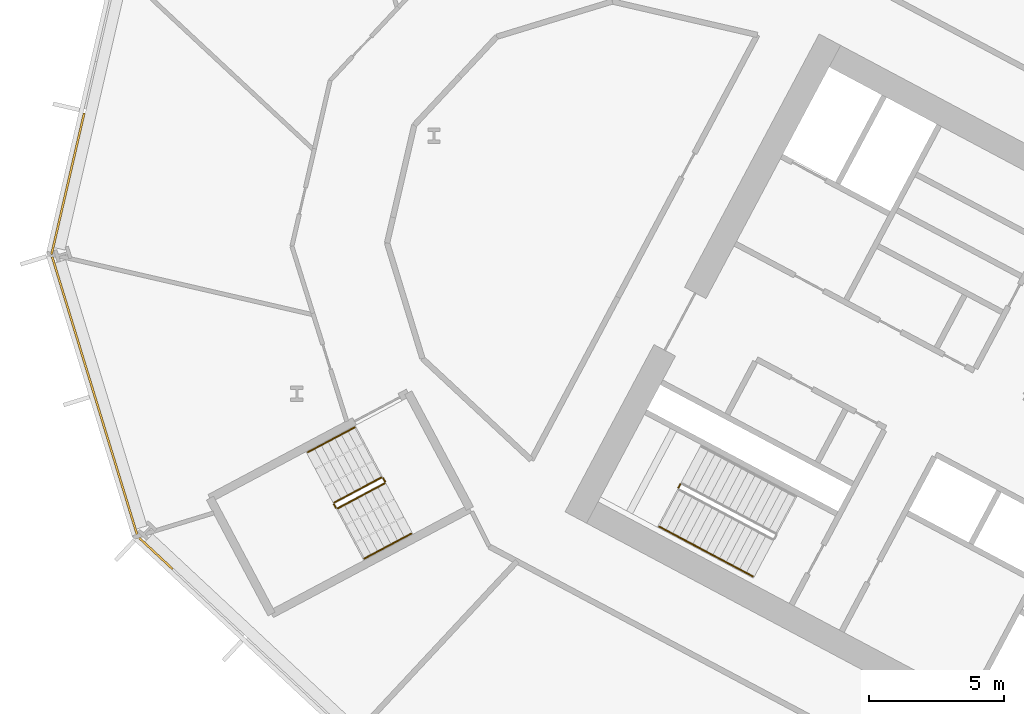
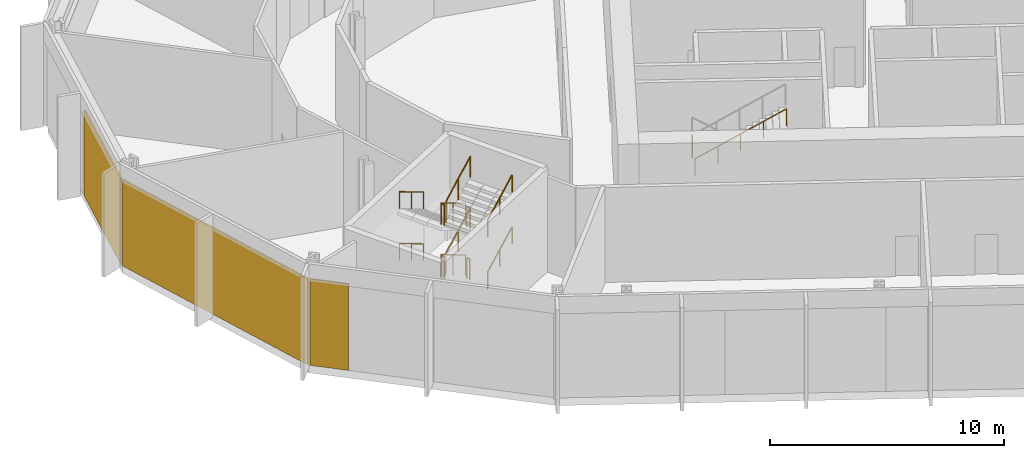
# One storey, part 21 of 31: 14 railings, 3 coverings, 3 elements without a shape of their own.
"""IFC4 building model written with IfcOpenShell, lengths in metres."""

from ifc_helpers import new_model, si_unit, direction, frame, origin, origin_2d, place, context, subcontext, project, spatial, polyline, rectangle, outline, extrude, material, layer, layer_set, type_object, element, aggregate, save


model = new_model("IFC4")

# Units and contexts
model_context = context("Model", 3, precision=1e-05, world=origin(), true_north=direction((0.0, 1.0)))
body_context = subcontext(model_context, "Body", "Model", "MODEL_VIEW")
ifc_project = project(units=[si_unit("LENGTHUNIT", "METRE"), si_unit("AREAUNIT", "SQUARE_METRE"), si_unit("VOLUMEUNIT", "CUBIC_METRE"), si_unit("PLANEANGLEUNIT", "RADIAN"), si_unit("MASSUNIT", "GRAM", prefix="KILO")], contexts=[model_context])

# Site, building, storey
site_placement = place(None, origin())
site = spatial("IfcSite", under=ifc_project, at=site_placement, CompositionType="ELEMENT")
building_placement = place(site_placement, origin())
building = spatial("IfcBuilding", under=site, at=building_placement, Name="Cormorant Relay Tower", CompositionType="ELEMENT")
storey_placement = place(building_placement, frame((0.0, 0.0, 50.0)))
storey = spatial("IfcBuildingStorey", under=building, at=storey_placement, Name="L09", CompositionType="ELEMENT", Elevation=50.0)

# Curtain wall, covering
ifc_material_1 = material(Name="Aluminium 6063-T6 anodised bronze", Category="aluminium")
ifc_layer_1 = layer(ifc_material_1, 0.235107421875)
ifc_layer_set_1 = layer_set([ifc_layer_1], Name="CW6 data hall curtain wall with mineral wool panels")
curtain_wall_type = type_object("IfcCurtainWallType", Name="CW6 data hall curtain wall with mineral wool panels", PredefinedType="NOTDEFINED", material=ifc_layer_set_1)
curtain_wall_1_placement = place(storey_placement, origin())
curtain_wall_1 = element("IfcCurtainWall", 1, at=curtain_wall_1_placement, inside=storey, type_object=curtain_wall_type, Name="CW6 curtain wall 11", PredefinedType="NOTDEFINED")
ifc_material_2 = material(Name="Mineral wool cored anodised bronze aluminium cassette panel", Category="aluminium")
ifc_layer_2 = layer(ifc_material_2, 0.074951171875)
ifc_layer_set_2 = layer_set([ifc_layer_2], Name="CW6 mineral wool cassette panel 75")
covering_type = type_object("IfcCoveringType", Name="CW6 mineral wool cassette panel 75", PredefinedType="CLADDING", material=ifc_layer_set_2)
covering_1_placement = place(storey_placement, frame((-60.153564453125, 23.01318359375, 0.0), z_axis=(0.0, 0.0, 1.0), x_axis=(-0.224951054344, -0.974370064785, 0.0)))
covering_1 = element("IfcCovering", 2, at=covering_1_placement, type_object=covering_type, Name="CW6 panel S02", PredefinedType="CLADDING", context=body_context, shape_type="SweptSolid", body=[
    extrude(rectangle(XDim=5.360107421875, YDim=0.074951171875, at=origin_2d()), origin(), (0.0, 0.0, 1.0), 4.5),
])
aggregate(curtain_wall_1, [covering_1])

curtain_wall_2_placement = place(storey_placement, origin())
curtain_wall_2 = element("IfcCurtainWall", 3, at=curtain_wall_2_placement, inside=storey, type_object=curtain_wall_type, Name="CW6 curtain wall 12", PredefinedType="NOTDEFINED")
covering_2_placement = place(storey_placement, frame((-59.155517578125, 15.148681640625, 0.0), z_axis=(0.0, 0.0, 1.0), x_axis=(0.292371704723, -0.956304755963, 0.0)))
covering_2 = element("IfcCovering", 4, at=covering_2_placement, type_object=covering_type, Name="CW6 panel S00", PredefinedType="CLADDING", context=body_context, shape_type="SweptSolid", body=[
    extrude(rectangle(XDim=10.79541015625, YDim=0.074951171875, at=origin_2d()), origin(), (0.0, 0.0, 1.0), 4.5),
])
aggregate(curtain_wall_2, [covering_2])

curtain_wall_3_placement = place(storey_placement, origin())
curtain_wall_3 = element("IfcCurtainWall", 5, at=curtain_wall_3_placement, inside=storey, type_object=curtain_wall_type, Name="CW6 curtain wall 13", PredefinedType="NOTDEFINED")
covering_3_placement = place(storey_placement, frame((-56.89599609375, 9.3447265625, 0.0), z_axis=(0.0, 0.0, 1.0), x_axis=(0.731353701619, -0.681998360062, 0.0)))
covering_3 = element("IfcCovering", 6, at=covering_3_placement, type_object=covering_type, Name="CW6 panel S00", PredefinedType="CLADDING", context=body_context, shape_type="SweptSolid", body=[
    extrude(rectangle(XDim=1.685302734375, YDim=0.074951171875, at=origin_2d()), origin(), (0.0, 0.0, 1.0), 4.5),
])
aggregate(curtain_wall_3, [covering_3])

# Railings
ifc_material_3 = material(Name="Steel ASTM A572 Grade 50 (Fy 345 MPa)", Category="steel")
railing_type_1 = type_object("IfcRailingType", Name="Stair guard 1100", PredefinedType="GUARDRAIL", material=ifc_material_3)
railing_1_placement = place(storey_placement, frame((-37.52099609375, 11.908935546875, 2.699951171875)))
element("IfcRailing", 7, at=railing_1_placement, inside=storey, type_object=railing_type_1, Name="L09 A2 stair guard 2", PredefinedType="GUARDRAIL", context=body_context, shape_type="SweptSolid", body=[
    extrude(outline(polyline([(0.022216796875, 0.00927734375), (0.00927734375, 0.022216796875), (-0.00927734375, 0.022216796875), (-0.022216796875, 0.00927734375), (-0.022216796875, -0.00927734375), (-0.00927734375, -0.022216796875), (0.00927734375, -0.022216796875), (0.022216796875, -0.00927734375), (0.022216796875, 0.00927734375)])), frame((0.0, 0.0, 1.076171875), z_axis=(-0.469234640946, -0.883073525669, 0.0), x_axis=(0.883073525669, -0.469234640946, 0.0)), (0.0, 0.0, 1.0), 0.14990234375),
    extrude(outline(polyline([(0.019287109375, 0.008056640625), (0.008056640625, 0.019287109375), (-0.008056640625, 0.019287109375), (-0.019287109375, 0.008056640625), (-0.019287109375, -0.008056640625), (-0.008056640625, -0.019287109375), (0.008056640625, -0.019287109375), (0.019287109375, -0.008056640625), (0.019287109375, 0.008056640625)])), origin(), (0.0, 0.0, 1.0), 1.052001953125),
    extrude(outline(polyline([(0.019287109375, 0.008056640625), (0.008056640625, 0.019287109375), (-0.008056640625, 0.019287109375), (-0.019287109375, 0.008056640625), (-0.019287109375, -0.008056640625), (-0.008056640625, -0.019287109375), (0.008056640625, -0.019287109375), (0.019287109375, -0.008056640625), (0.019287109375, 0.008056640625)])), frame((-0.0703125, -0.13232421875, 0.0)), (0.0, 0.0, 1.0), 1.052001953125),
])
railing_2_placement = place(storey_placement, frame((-48.5693359375, 12.155517578125, 0.168701171875)))
element("IfcRailing", 8, at=railing_2_placement, inside=storey, type_object=railing_type_1, Name="L09 RP1 stair guard 1", PredefinedType="GUARDRAIL", context=body_context, shape_type="SweptSolid", body=[
    extrude(outline(polyline([(0.022216796875, 0.00927734375), (0.00927734375, 0.022216796875), (-0.00927734375, 0.022216796875), (-0.022216796875, 0.00927734375), (-0.022216796875, -0.00927734375), (-0.00927734375, -0.022216796875), (0.00927734375, -0.022216796875), (0.022216796875, -0.00927734375), (0.022216796875, 0.00927734375)])), frame((0.0, 0.0, 1.076171875), z_axis=(-0.756226349707, -0.402061942735, 0.516205290765), x_axis=(0.469443581604, -0.882962470149, 0.0)), (0.0, 0.0, 1.0), 2.28857421875),
    extrude(outline(polyline([(0.019287109375, 0.008056640625), (0.008056640625, 0.019287109375), (-0.008056640625, 0.019287109375), (-0.019287109375, 0.008056640625), (-0.019287109375, -0.008056640625), (-0.008056640625, -0.019287109375), (0.008056640625, -0.019287109375), (0.019287109375, -0.008056640625), (0.019287109375, 0.008056640625)])), origin(), (0.0, 0.0, 1.0), 1.052001953125),
    extrude(outline(polyline([(0.019287109375, 0.008056640625), (0.008056640625, 0.019287109375), (-0.008056640625, 0.019287109375), (-0.019287109375, 0.008056640625), (-0.019287109375, -0.008056640625), (-0.008056640625, -0.019287109375), (0.008056640625, -0.019287109375), (0.019287109375, -0.008056640625), (0.019287109375, 0.008056640625)])), frame((-0.865234375, -0.4599609375, 0.5908203125)), (0.0, 0.0, 1.0), 1.052001953125),
    extrude(outline(polyline([(0.019287109375, 0.008056640625), (0.008056640625, 0.019287109375), (-0.008056640625, 0.019287109375), (-0.019287109375, 0.008056640625), (-0.019287109375, -0.008056640625), (-0.008056640625, -0.019287109375), (0.008056640625, -0.019287109375), (0.019287109375, -0.008056640625), (0.019287109375, 0.008056640625)])), frame((-1.730712890625, -0.920166015625, 1.181396484375)), (0.0, 0.0, 1.0), 1.052001953125),
])
railing_3_placement = place(storey_placement, frame((-50.320556640625, 11.167724609375, 1.35009765625)))
element("IfcRailing", 9, at=railing_3_placement, inside=storey, type_object=railing_type_1, Name="L09 RP1 stair guard 2", PredefinedType="GUARDRAIL", context=body_context, shape_type="SweptSolid", body=[
    extrude(outline(polyline([(0.022216796875, 0.00927734375), (0.00927734375, 0.022216796875), (-0.00927734375, 0.022216796875), (-0.022216796875, 0.00927734375), (-0.022216796875, -0.00927734375), (-0.00927734375, -0.022216796875), (0.00927734375, -0.022216796875), (0.022216796875, -0.00927734375), (0.022216796875, 0.00927734375)])), frame((0.0, 0.0, 1.076171875), z_axis=(0.46856034887, -0.8834314911, 0.0), x_axis=(0.8834314911, 0.46856034887, 0.0)), (0.0, 0.0, 1.0), 0.150146484375),
    extrude(outline(polyline([(0.019287109375, 0.008056640625), (0.008056640625, 0.019287109375), (-0.008056640625, 0.019287109375), (-0.019287109375, 0.008056640625), (-0.019287109375, -0.008056640625), (-0.008056640625, -0.019287109375), (0.008056640625, -0.019287109375), (0.019287109375, -0.008056640625), (0.019287109375, 0.008056640625)])), origin(), (0.0, 0.0, 1.0), 1.052001953125),
    extrude(outline(polyline([(0.019287109375, 0.008056640625), (0.008056640625, 0.019287109375), (-0.008056640625, 0.019287109375), (-0.019287109375, 0.008056640625), (-0.019287109375, -0.008056640625), (-0.008056640625, -0.019287109375), (0.008056640625, -0.019287109375), (0.019287109375, -0.008056640625), (0.019287109375, 0.008056640625)])), frame((0.0703125, -0.132568359375, 0.0)), (0.0, 0.0, 1.0), 1.052001953125),
])
railing_4_placement = place(storey_placement, frame((-50.1826171875, 11.014404296875, 1.518798828125)))
element("IfcRailing", 10, at=railing_4_placement, inside=storey, type_object=railing_type_1, Name="L09 RP1 stair guard 3", PredefinedType="GUARDRAIL", context=body_context, shape_type="SweptSolid", body=[
    extrude(outline(polyline([(0.022216796875, 0.00927734375), (0.00927734375, 0.022216796875), (-0.00927734375, 0.022216796875), (-0.022216796875, 0.00927734375), (-0.022216796875, -0.00927734375), (-0.00927734375, -0.022216796875), (0.00927734375, -0.022216796875), (0.022216796875, -0.00927734375), (0.022216796875, 0.00927734375)])), frame((0.0, 0.0, 1.076171875), z_axis=(0.756267991755, 0.402084082512, 0.516127034012), x_axis=(-0.469443581604, 0.882962470149, 0.0)), (0.0, 0.0, 1.0), 2.28857421875),
    extrude(outline(polyline([(0.019287109375, 0.008056640625), (0.008056640625, 0.019287109375), (-0.008056640625, 0.019287109375), (-0.019287109375, 0.008056640625), (-0.019287109375, -0.008056640625), (-0.008056640625, -0.019287109375), (0.008056640625, -0.019287109375), (0.019287109375, -0.008056640625), (0.019287109375, 0.008056640625)])), origin(), (0.0, 0.0, 1.0), 1.052001953125),
    extrude(outline(polyline([(0.019287109375, 0.008056640625), (0.008056640625, 0.019287109375), (-0.008056640625, 0.019287109375), (-0.019287109375, 0.008056640625), (-0.019287109375, -0.008056640625), (-0.008056640625, -0.019287109375), (0.008056640625, -0.019287109375), (0.019287109375, -0.008056640625), (0.019287109375, 0.008056640625)])), frame((0.865234375, 0.4599609375, 0.590576171875)), (0.0, 0.0, 1.0), 1.052001953125),
    extrude(outline(polyline([(0.019287109375, 0.008056640625), (0.008056640625, 0.019287109375), (-0.008056640625, 0.019287109375), (-0.019287109375, 0.008056640625), (-0.019287109375, -0.008056640625), (-0.008056640625, -0.019287109375), (0.008056640625, -0.019287109375), (0.019287109375, -0.008056640625), (0.019287109375, 0.008056640625)])), frame((1.730712890625, 0.920166015625, 1.18115234375)), (0.0, 0.0, 1.0), 1.052001953125),
])
railing_5_placement = place(storey_placement, frame((-48.501708984375, 12.134765625, 2.699951171875)))
element("IfcRailing", 11, at=railing_5_placement, inside=storey, type_object=railing_type_1, Name="L09 RP1 stair guard 4", PredefinedType="GUARDRAIL", context=body_context, shape_type="SweptSolid", body=[
    extrude(outline(polyline([(0.022216796875, 0.00927734375), (0.00927734375, 0.022216796875), (-0.00927734375, 0.022216796875), (-0.022216796875, 0.00927734375), (-0.022216796875, -0.00927734375), (-0.00927734375, -0.022216796875), (0.00927734375, -0.022216796875), (0.022216796875, -0.00927734375), (0.022216796875, 0.00927734375)])), frame((0.0, 0.0, 1.076171875), z_axis=(0.46856034887, -0.8834314911, 0.0), x_axis=(0.8834314911, 0.46856034887, 0.0)), (0.0, 0.0, 1.0), 0.150146484375),
    extrude(outline(polyline([(0.019287109375, 0.008056640625), (0.008056640625, 0.019287109375), (-0.008056640625, 0.019287109375), (-0.019287109375, 0.008056640625), (-0.019287109375, -0.008056640625), (-0.008056640625, -0.019287109375), (0.008056640625, -0.019287109375), (0.019287109375, -0.008056640625), (0.019287109375, 0.008056640625)])), origin(), (0.0, 0.0, 1.0), 1.052001953125),
    extrude(outline(polyline([(0.019287109375, 0.008056640625), (0.008056640625, 0.019287109375), (-0.008056640625, 0.019287109375), (-0.019287109375, 0.008056640625), (-0.019287109375, -0.008056640625), (-0.008056640625, -0.019287109375), (0.008056640625, -0.019287109375), (0.019287109375, -0.008056640625), (0.019287109375, 0.008056640625)])), frame((0.0703125, -0.132568359375, 0.0)), (0.0, 0.0, 1.0), 1.052001953125),
])
railing_6_placement = place(storey_placement, frame((-48.5693359375, 12.155517578125, 2.86865234375)))
element("IfcRailing", 12, at=railing_6_placement, inside=storey, type_object=railing_type_1, Name="L09 RP1 stair guard 5", PredefinedType="GUARDRAIL", context=body_context, shape_type="SweptSolid", body=[
    extrude(outline(polyline([(0.022216796875, 0.00927734375), (0.00927734375, 0.022216796875), (-0.00927734375, 0.022216796875), (-0.022216796875, 0.00927734375), (-0.022216796875, -0.00927734375), (-0.00927734375, -0.022216796875), (0.00927734375, -0.022216796875), (0.022216796875, -0.00927734375), (0.022216796875, 0.00927734375)])), frame((0.0, 0.0, 1.076171875), z_axis=(-0.756226349707, -0.402061942735, 0.516205290765), x_axis=(0.469443581604, -0.882962470149, 0.0)), (0.0, 0.0, 1.0), 2.28857421875),
    extrude(outline(polyline([(0.019287109375, 0.008056640625), (0.008056640625, 0.019287109375), (-0.008056640625, 0.019287109375), (-0.019287109375, 0.008056640625), (-0.019287109375, -0.008056640625), (-0.008056640625, -0.019287109375), (0.008056640625, -0.019287109375), (0.019287109375, -0.008056640625), (0.019287109375, 0.008056640625)])), origin(), (0.0, 0.0, 1.0), 1.052001953125),
    extrude(outline(polyline([(0.019287109375, 0.008056640625), (0.008056640625, 0.019287109375), (-0.008056640625, 0.019287109375), (-0.019287109375, 0.008056640625), (-0.019287109375, -0.008056640625), (-0.008056640625, -0.019287109375), (0.008056640625, -0.019287109375), (0.019287109375, -0.008056640625), (0.019287109375, 0.008056640625)])), frame((-0.865234375, -0.4599609375, 0.5908203125)), (0.0, 0.0, 1.0), 1.052001953125),
    extrude(outline(polyline([(0.019287109375, 0.008056640625), (0.008056640625, 0.019287109375), (-0.008056640625, 0.019287109375), (-0.019287109375, 0.008056640625), (-0.019287109375, -0.008056640625), (-0.008056640625, -0.019287109375), (0.008056640625, -0.019287109375), (0.019287109375, -0.008056640625), (0.019287109375, 0.008056640625)])), frame((-1.730712890625, -0.920166015625, 1.181396484375)), (0.0, 0.0, 1.0), 1.052001953125),
])
railing_7_placement = place(storey_placement, frame((-50.320556640625, 11.167724609375, 4.050048828125)))
element("IfcRailing", 13, at=railing_7_placement, inside=storey, type_object=railing_type_1, Name="L09 RP1 stair guard 6", PredefinedType="GUARDRAIL", context=body_context, shape_type="SweptSolid", body=[
    extrude(outline(polyline([(0.022216796875, 0.00927734375), (0.00927734375, 0.022216796875), (-0.00927734375, 0.022216796875), (-0.022216796875, 0.00927734375), (-0.022216796875, -0.00927734375), (-0.00927734375, -0.022216796875), (0.00927734375, -0.022216796875), (0.022216796875, -0.00927734375), (0.022216796875, 0.00927734375)])), frame((0.0, 0.0, 1.076171875), z_axis=(0.46856034887, -0.8834314911, 0.0), x_axis=(0.8834314911, 0.46856034887, 0.0)), (0.0, 0.0, 1.0), 0.150146484375),
    extrude(outline(polyline([(0.019287109375, 0.008056640625), (0.008056640625, 0.019287109375), (-0.008056640625, 0.019287109375), (-0.019287109375, 0.008056640625), (-0.019287109375, -0.008056640625), (-0.008056640625, -0.019287109375), (0.008056640625, -0.019287109375), (0.019287109375, -0.008056640625), (0.019287109375, 0.008056640625)])), origin(), (0.0, 0.0, 1.0), 1.052001953125),
    extrude(outline(polyline([(0.019287109375, 0.008056640625), (0.008056640625, 0.019287109375), (-0.008056640625, 0.019287109375), (-0.019287109375, 0.008056640625), (-0.019287109375, -0.008056640625), (-0.008056640625, -0.019287109375), (0.008056640625, -0.019287109375), (0.019287109375, -0.008056640625), (0.019287109375, 0.008056640625)])), frame((0.0703125, -0.132568359375, 0.0)), (0.0, 0.0, 1.0), 1.052001953125),
])
railing_8_placement = place(storey_placement, frame((-50.1826171875, 11.014404296875, 4.21875)))
element("IfcRailing", 14, at=railing_8_placement, inside=storey, type_object=railing_type_1, Name="L09 RP1 stair guard 7", PredefinedType="GUARDRAIL", context=body_context, shape_type="SweptSolid", body=[
    extrude(outline(polyline([(0.022216796875, 0.00927734375), (0.00927734375, 0.022216796875), (-0.00927734375, 0.022216796875), (-0.022216796875, 0.00927734375), (-0.022216796875, -0.00927734375), (-0.00927734375, -0.022216796875), (0.00927734375, -0.022216796875), (0.022216796875, -0.00927734375), (0.022216796875, 0.00927734375)])), frame((0.0, 0.0, 1.076171875), z_axis=(0.756267991755, 0.402084082512, 0.516127034012), x_axis=(-0.469443581604, 0.882962470149, 0.0)), (0.0, 0.0, 1.0), 2.28857421875),
    extrude(outline(polyline([(0.019287109375, 0.008056640625), (0.008056640625, 0.019287109375), (-0.008056640625, 0.019287109375), (-0.019287109375, 0.008056640625), (-0.019287109375, -0.008056640625), (-0.008056640625, -0.019287109375), (0.008056640625, -0.019287109375), (0.019287109375, -0.008056640625), (0.019287109375, 0.008056640625)])), origin(), (0.0, 0.0, 1.0), 1.052001953125),
    extrude(outline(polyline([(0.019287109375, 0.008056640625), (0.008056640625, 0.019287109375), (-0.008056640625, 0.019287109375), (-0.019287109375, 0.008056640625), (-0.019287109375, -0.008056640625), (-0.008056640625, -0.019287109375), (0.008056640625, -0.019287109375), (0.019287109375, -0.008056640625), (0.019287109375, 0.008056640625)])), frame((0.865234375, 0.4599609375, 0.590576171875)), (0.0, 0.0, 1.0), 1.052001953125),
    extrude(outline(polyline([(0.019287109375, 0.008056640625), (0.008056640625, 0.019287109375), (-0.008056640625, 0.019287109375), (-0.019287109375, 0.008056640625), (-0.019287109375, -0.008056640625), (-0.008056640625, -0.019287109375), (0.008056640625, -0.019287109375), (0.019287109375, -0.008056640625), (0.019287109375, 0.008056640625)])), frame((1.730712890625, 0.920166015625, 1.18115234375)), (0.0, 0.0, 1.0), 1.052001953125),
])
railing_9_placement = place(storey_placement, frame((-48.501708984375, 12.134765625, 0.0)))
element("IfcRailing", 15, at=railing_9_placement, inside=storey, type_object=railing_type_1, Name="L09 RP1 stair guard 8", PredefinedType="GUARDRAIL", context=body_context, shape_type="SweptSolid", body=[
    extrude(outline(polyline([(0.022216796875, 0.00927734375), (0.00927734375, 0.022216796875), (-0.00927734375, 0.022216796875), (-0.022216796875, 0.00927734375), (-0.022216796875, -0.00927734375), (-0.00927734375, -0.022216796875), (0.00927734375, -0.022216796875), (0.022216796875, -0.00927734375), (0.022216796875, 0.00927734375)])), frame((0.0, 0.0, 1.076171875), z_axis=(0.46856034887, -0.8834314911, 0.0), x_axis=(0.8834314911, 0.46856034887, 0.0)), (0.0, 0.0, 1.0), 0.150146484375),
    extrude(outline(polyline([(0.019287109375, 0.008056640625), (0.008056640625, 0.019287109375), (-0.008056640625, 0.019287109375), (-0.019287109375, 0.008056640625), (-0.019287109375, -0.008056640625), (-0.008056640625, -0.019287109375), (0.008056640625, -0.019287109375), (0.019287109375, -0.008056640625), (0.019287109375, 0.008056640625)])), origin(), (0.0, 0.0, 1.0), 1.052001953125),
    extrude(outline(polyline([(0.019287109375, 0.008056640625), (0.008056640625, 0.019287109375), (-0.008056640625, 0.019287109375), (-0.019287109375, 0.008056640625), (-0.019287109375, -0.008056640625), (-0.008056640625, -0.019287109375), (0.008056640625, -0.019287109375), (0.019287109375, -0.008056640625), (0.019287109375, 0.008056640625)])), frame((0.0703125, -0.132568359375, 0.0)), (0.0, 0.0, 1.0), 1.052001953125),
])
ifc_material_4 = material(Name="Steel ASTM A572 Grade 50 (Fy 345 MPa)", Category="steel")
railing_type_2 = type_object("IfcRailingType", Name="Stair handrail 900", PredefinedType="HANDRAIL", material=ifc_material_4)
railing_10_placement = place(storey_placement, frame((-38.29833984375, 10.34033203125, 2.8798828125)))
element("IfcRailing", 16, at=railing_10_placement, inside=storey, type_object=railing_type_2, Name="L09 A2 stair handrail 2", PredefinedType="HANDRAIL", context=body_context, shape_type="SweptSolid", body=[
    extrude(outline(polyline([(0.022216796875, 0.00927734375), (0.00927734375, 0.022216796875), (-0.00927734375, 0.022216796875), (-0.022216796875, 0.00927734375), (-0.022216796875, -0.00927734375), (-0.00927734375, -0.022216796875), (0.00927734375, -0.022216796875), (0.022216796875, -0.00927734375), (0.022216796875, 0.00927734375)])), frame((0.0, 0.0, 0.8759765625), z_axis=(0.74271721126, -0.394907409077, 0.540758062681), x_axis=(0.469469396681, 0.882948744594, 0.0)), (0.0, 0.0, 1.0), 4.66015625),
    extrude(outline(polyline([(0.019287109375, 0.008056640625), (0.008056640625, 0.019287109375), (-0.008056640625, 0.019287109375), (-0.019287109375, 0.008056640625), (-0.019287109375, -0.008056640625), (-0.008056640625, -0.019287109375), (0.008056640625, -0.019287109375), (0.019287109375, -0.008056640625), (0.019287109375, 0.008056640625)])), origin(), (0.0, 0.0, 1.0), 0.851806640625),
    extrude(outline(polyline([(0.019287109375, 0.008056640625), (0.008056640625, 0.019287109375), (-0.008056640625, 0.019287109375), (-0.019287109375, 0.008056640625), (-0.019287109375, -0.008056640625), (-0.008056640625, -0.019287109375), (0.008056640625, -0.019287109375), (0.019287109375, -0.008056640625), (0.019287109375, 0.008056640625)])), frame((0.865234375, -0.4599609375, 0.6298828125)), (0.0, 0.0, 1.0), 0.851806640625),
    extrude(outline(polyline([(0.019287109375, 0.008056640625), (0.008056640625, 0.019287109375), (-0.008056640625, 0.019287109375), (-0.019287109375, 0.008056640625), (-0.019287109375, -0.008056640625), (-0.008056640625, -0.019287109375), (0.008056640625, -0.019287109375), (0.019287109375, -0.008056640625), (0.019287109375, 0.008056640625)])), frame((1.73046875, -0.920166015625, 1.260009765625)), (0.0, 0.0, 1.0), 0.851806640625),
    extrude(outline(polyline([(0.019287109375, 0.008056640625), (0.008056640625, 0.019287109375), (-0.008056640625, 0.019287109375), (-0.019287109375, 0.008056640625), (-0.019287109375, -0.008056640625), (-0.008056640625, -0.019287109375), (0.008056640625, -0.019287109375), (0.019287109375, -0.008056640625), (0.019287109375, 0.008056640625)])), frame((2.595947265625, -1.38037109375, 1.89013671875)), (0.0, 0.0, 1.0), 0.851806640625),
    extrude(outline(polyline([(0.019287109375, 0.008056640625), (0.008056640625, 0.019287109375), (-0.008056640625, 0.019287109375), (-0.019287109375, 0.008056640625), (-0.019287109375, -0.008056640625), (-0.008056640625, -0.019287109375), (0.008056640625, -0.019287109375), (0.019287109375, -0.008056640625), (0.019287109375, 0.008056640625)])), frame((3.461181640625, -1.84033203125, 2.52001953125)), (0.0, 0.0, 1.0), 0.851806640625),
])
railing_11_placement = place(storey_placement, frame((-49.55517578125, 14.009521484375, 0.168701171875)))
element("IfcRailing", 17, at=railing_11_placement, inside=storey, type_object=railing_type_2, Name="L09 RP1 stair handrail 1", PredefinedType="HANDRAIL", context=body_context, shape_type="SweptSolid", body=[
    extrude(outline(polyline([(0.022216796875, 0.00927734375), (0.00927734375, 0.022216796875), (-0.00927734375, 0.022216796875), (-0.022216796875, 0.00927734375), (-0.022216796875, -0.00927734375), (-0.00927734375, -0.022216796875), (0.00927734375, -0.022216796875), (0.022216796875, -0.00927734375), (0.022216796875, 0.00927734375)])), frame((0.0, 0.0, 0.8759765625), z_axis=(-0.756226349707, -0.402061942735, 0.516205290765), x_axis=(0.469443581604, -0.882962470149, 0.0)), (0.0, 0.0, 1.0), 2.28857421875),
    extrude(outline(polyline([(0.019287109375, 0.008056640625), (0.008056640625, 0.019287109375), (-0.008056640625, 0.019287109375), (-0.019287109375, 0.008056640625), (-0.019287109375, -0.008056640625), (-0.008056640625, -0.019287109375), (0.008056640625, -0.019287109375), (0.019287109375, -0.008056640625), (0.019287109375, 0.008056640625)])), origin(), (0.0, 0.0, 1.0), 0.851806640625),
    extrude(outline(polyline([(0.019287109375, 0.008056640625), (0.008056640625, 0.019287109375), (-0.008056640625, 0.019287109375), (-0.019287109375, 0.008056640625), (-0.019287109375, -0.008056640625), (-0.008056640625, -0.019287109375), (0.008056640625, -0.019287109375), (0.019287109375, -0.008056640625), (0.019287109375, 0.008056640625)])), frame((-0.865234375, -0.4599609375, 0.5908203125)), (0.0, 0.0, 1.0), 0.851806640625),
    extrude(outline(polyline([(0.019287109375, 0.008056640625), (0.008056640625, 0.019287109375), (-0.008056640625, 0.019287109375), (-0.019287109375, 0.008056640625), (-0.019287109375, -0.008056640625), (-0.008056640625, -0.019287109375), (0.008056640625, -0.019287109375), (0.019287109375, -0.008056640625), (0.019287109375, 0.008056640625)])), frame((-1.730712890625, -0.920166015625, 1.181396484375)), (0.0, 0.0, 1.0), 0.851806640625),
])
railing_12_placement = place(storey_placement, frame((-49.19677734375, 9.160400390625, 1.518798828125)))
element("IfcRailing", 18, at=railing_12_placement, inside=storey, type_object=railing_type_2, Name="L09 RP1 stair handrail 2", PredefinedType="HANDRAIL", context=body_context, shape_type="SweptSolid", body=[
    extrude(outline(polyline([(0.022216796875, 0.00927734375), (0.00927734375, 0.022216796875), (-0.00927734375, 0.022216796875), (-0.022216796875, 0.00927734375), (-0.022216796875, -0.00927734375), (-0.00927734375, -0.022216796875), (0.00927734375, -0.022216796875), (0.022216796875, -0.00927734375), (0.022216796875, 0.00927734375)])), frame((0.0, 0.0, 0.8759765625), z_axis=(0.756267991755, 0.402084082512, 0.516127034012), x_axis=(-0.469443581604, 0.882962470149, 0.0)), (0.0, 0.0, 1.0), 2.28857421875),
    extrude(outline(polyline([(0.019287109375, 0.008056640625), (0.008056640625, 0.019287109375), (-0.008056640625, 0.019287109375), (-0.019287109375, 0.008056640625), (-0.019287109375, -0.008056640625), (-0.008056640625, -0.019287109375), (0.008056640625, -0.019287109375), (0.019287109375, -0.008056640625), (0.019287109375, 0.008056640625)])), origin(), (0.0, 0.0, 1.0), 0.851806640625),
    extrude(outline(polyline([(0.019287109375, 0.008056640625), (0.008056640625, 0.019287109375), (-0.008056640625, 0.019287109375), (-0.019287109375, 0.008056640625), (-0.019287109375, -0.008056640625), (-0.008056640625, -0.019287109375), (0.008056640625, -0.019287109375), (0.019287109375, -0.008056640625), (0.019287109375, 0.008056640625)])), frame((0.865234375, 0.4599609375, 0.590576171875)), (0.0, 0.0, 1.0), 0.851806640625),
    extrude(outline(polyline([(0.019287109375, 0.008056640625), (0.008056640625, 0.019287109375), (-0.008056640625, 0.019287109375), (-0.019287109375, 0.008056640625), (-0.019287109375, -0.008056640625), (-0.008056640625, -0.019287109375), (0.008056640625, -0.019287109375), (0.019287109375, -0.008056640625), (0.019287109375, 0.008056640625)])), frame((1.730712890625, 0.920166015625, 1.18115234375)), (0.0, 0.0, 1.0), 0.851806640625),
])
railing_13_placement = place(storey_placement, frame((-49.55517578125, 14.009521484375, 2.86865234375)))
element("IfcRailing", 19, at=railing_13_placement, inside=storey, type_object=railing_type_2, Name="L09 RP1 stair handrail 3", PredefinedType="HANDRAIL", context=body_context, shape_type="SweptSolid", body=[
    extrude(outline(polyline([(0.022216796875, 0.00927734375), (0.00927734375, 0.022216796875), (-0.00927734375, 0.022216796875), (-0.022216796875, 0.00927734375), (-0.022216796875, -0.00927734375), (-0.00927734375, -0.022216796875), (0.00927734375, -0.022216796875), (0.022216796875, -0.00927734375), (0.022216796875, 0.00927734375)])), frame((0.0, 0.0, 0.8759765625), z_axis=(-0.756226349707, -0.402061942735, 0.516205290765), x_axis=(0.469443581604, -0.882962470149, 0.0)), (0.0, 0.0, 1.0), 2.28857421875),
    extrude(outline(polyline([(0.019287109375, 0.008056640625), (0.008056640625, 0.019287109375), (-0.008056640625, 0.019287109375), (-0.019287109375, 0.008056640625), (-0.019287109375, -0.008056640625), (-0.008056640625, -0.019287109375), (0.008056640625, -0.019287109375), (0.019287109375, -0.008056640625), (0.019287109375, 0.008056640625)])), origin(), (0.0, 0.0, 1.0), 0.851806640625),
    extrude(outline(polyline([(0.019287109375, 0.008056640625), (0.008056640625, 0.019287109375), (-0.008056640625, 0.019287109375), (-0.019287109375, 0.008056640625), (-0.019287109375, -0.008056640625), (-0.008056640625, -0.019287109375), (0.008056640625, -0.019287109375), (0.019287109375, -0.008056640625), (0.019287109375, 0.008056640625)])), frame((-0.865234375, -0.4599609375, 0.5908203125)), (0.0, 0.0, 1.0), 0.851806640625),
    extrude(outline(polyline([(0.019287109375, 0.008056640625), (0.008056640625, 0.019287109375), (-0.008056640625, 0.019287109375), (-0.019287109375, 0.008056640625), (-0.019287109375, -0.008056640625), (-0.008056640625, -0.019287109375), (0.008056640625, -0.019287109375), (0.019287109375, -0.008056640625), (0.019287109375, 0.008056640625)])), frame((-1.730712890625, -0.920166015625, 1.181396484375)), (0.0, 0.0, 1.0), 0.851806640625),
])
railing_14_placement = place(storey_placement, frame((-49.19677734375, 9.160400390625, 4.21875)))
element("IfcRailing", 20, at=railing_14_placement, inside=storey, type_object=railing_type_2, Name="L09 RP1 stair handrail 4", PredefinedType="HANDRAIL", context=body_context, shape_type="SweptSolid", body=[
    extrude(outline(polyline([(0.022216796875, 0.00927734375), (0.00927734375, 0.022216796875), (-0.00927734375, 0.022216796875), (-0.022216796875, 0.00927734375), (-0.022216796875, -0.00927734375), (-0.00927734375, -0.022216796875), (0.00927734375, -0.022216796875), (0.022216796875, -0.00927734375), (0.022216796875, 0.00927734375)])), frame((0.0, 0.0, 0.8759765625), z_axis=(0.756267991755, 0.402084082512, 0.516127034012), x_axis=(-0.469443581604, 0.882962470149, 0.0)), (0.0, 0.0, 1.0), 2.28857421875),
    extrude(outline(polyline([(0.019287109375, 0.008056640625), (0.008056640625, 0.019287109375), (-0.008056640625, 0.019287109375), (-0.019287109375, 0.008056640625), (-0.019287109375, -0.008056640625), (-0.008056640625, -0.019287109375), (0.008056640625, -0.019287109375), (0.019287109375, -0.008056640625), (0.019287109375, 0.008056640625)])), origin(), (0.0, 0.0, 1.0), 0.851806640625),
    extrude(outline(polyline([(0.019287109375, 0.008056640625), (0.008056640625, 0.019287109375), (-0.008056640625, 0.019287109375), (-0.019287109375, 0.008056640625), (-0.019287109375, -0.008056640625), (-0.008056640625, -0.019287109375), (0.008056640625, -0.019287109375), (0.019287109375, -0.008056640625), (0.019287109375, 0.008056640625)])), frame((0.865234375, 0.4599609375, 0.590576171875)), (0.0, 0.0, 1.0), 0.851806640625),
    extrude(outline(polyline([(0.019287109375, 0.008056640625), (0.008056640625, 0.019287109375), (-0.008056640625, 0.019287109375), (-0.019287109375, 0.008056640625), (-0.019287109375, -0.008056640625), (-0.008056640625, -0.019287109375), (0.008056640625, -0.019287109375), (0.019287109375, -0.008056640625), (0.019287109375, 0.008056640625)])), frame((1.730712890625, 0.920166015625, 1.18115234375)), (0.0, 0.0, 1.0), 0.851806640625),
])

save(model, "model.ifc")
